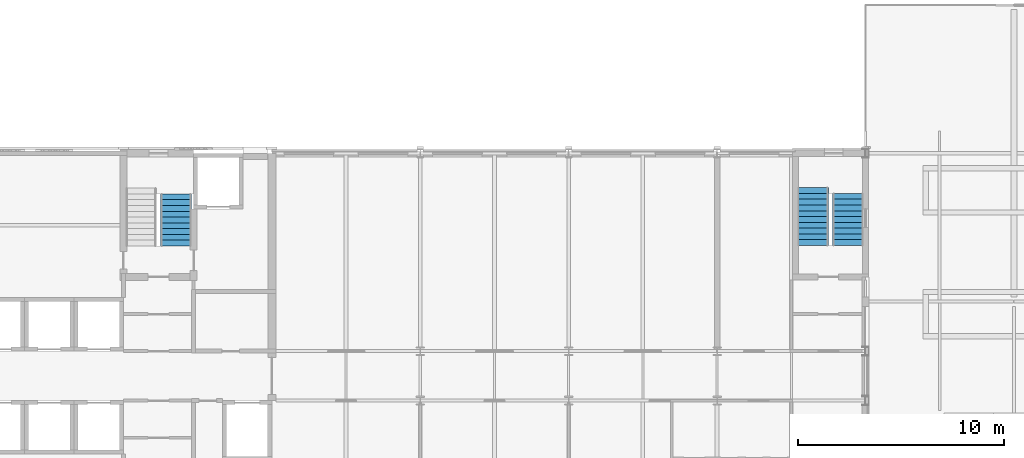
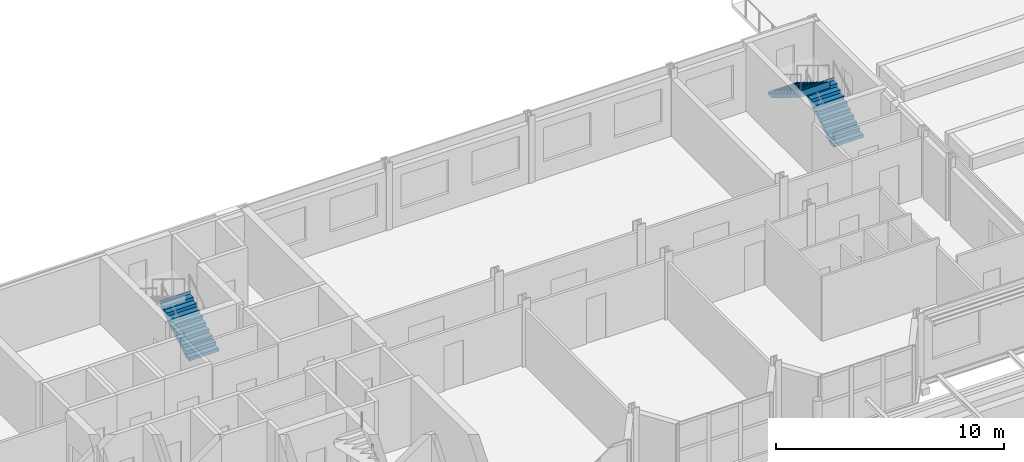
# One storey, part 50 of 110: 3 stair flights, 2 elements without a shape of their own.
"""IFC4 building model written with IfcOpenShell, lengths in metres."""

from ifc_helpers import new_model, si_unit, direction, frame, origin, place, context, subcontext, project, spatial, polyline, outline, extrude, material, type_object, element, aggregate, save


model = new_model("IFC4")

# Units and contexts
model_context = context("Model", 3, precision=1e-05, world=origin(), true_north=direction((0.0, 1.0)))
body_context = subcontext(model_context, "Body", "Model", "MODEL_VIEW")
ifc_project = project(units=[si_unit("LENGTHUNIT", "METRE"), si_unit("AREAUNIT", "SQUARE_METRE"), si_unit("VOLUMEUNIT", "CUBIC_METRE"), si_unit("PLANEANGLEUNIT", "RADIAN"), si_unit("MASSUNIT", "GRAM", prefix="KILO")], contexts=[model_context])

# Site, building, storey
site_placement = place(None, origin())
site = spatial("IfcSite", under=ifc_project, at=site_placement, CompositionType="ELEMENT")
building_placement = place(site_placement, origin())
building = spatial("IfcBuilding", under=site, at=building_placement, Name="Kupolbacken Congress Centre", CompositionType="ELEMENT")
storey_placement = place(building_placement, frame((0.0, 0.0, 18.0)))
storey = spatial("IfcBuildingStorey", under=building, at=storey_placement, Name="L05", CompositionType="ELEMENT", Elevation=18.0)

# Stair, stair flight
ifc_material_1 = material(Name="Steel S355", Category="steel")
stair_type = type_object("IfcStairType", Name="ST2 stair 1500", PredefinedType="TWO_STRAIGHT_RUN_STAIR", material=ifc_material_1)
stair_1_placement = place(storey_placement, origin())
stair_1 = element("IfcStair", 1, at=stair_1_placement, inside=storey, type_object=stair_type, Name="C/stair/TS2/L05", PredefinedType="NOTDEFINED")
ifc_material_2 = material(Name="Steel S355", Category="steel")
stair_flight_type_1 = type_object("IfcStairFlightType", Name="FL3 stair flight 1500 x 10 risers", PredefinedType="STRAIGHT", material=ifc_material_2)
stair_flight_1_placement = place(storey_placement, frame((103.35009765625, 139.5048828125, 0.0), z_axis=(0.0, 0.0, 1.0), x_axis=(0.0, 1.0, 0.0)))
stair_flight_1 = element("IfcStairFlight", 2, at=stair_flight_1_placement, type_object=stair_flight_type_1, Name="TS2 flight 1", NumberOfRisers=10, NumberOfTreads=9, PredefinedType="STRAIGHT", RiserHeight=0.171428571, TreadLength=0.28, context=body_context, shape_type="SweptSolid", body=[
    extrude(outline(polyline([(0.0, 0.0), (0.0, 0.0009765625), (0.0, 0.002197265625), (0.0, 0.003173828125), (0.0, 0.004150390625), (0.0, 0.00537109375), (0.0, 0.00634765625), (0.0, 0.007568359375), (0.0, 0.008544921875), (0.0, 0.009521484375), (0.0, 0.0107421875), (0.0, 0.01171875), (0.0, 0.0126953125), (0.0, 0.013916015625), (0.0, 0.014892578125), (0.0, 0.015869140625), (0.0, 0.01708984375), (0.0, 0.01806640625), (0.0, 0.019287109375), (0.0, 0.020263671875), (0.0, 0.021240234375), (0.0, 0.0224609375), (0.0, 0.0234375), (0.0, 0.0244140625), (0.0, 0.025634765625), (0.0, 0.026611328125), (0.0, 0.027587890625), (0.0, 0.02880859375), (0.0, 0.02978515625), (0.0, 0.03076171875), (0.0, 0.031982421875), (0.0, 0.032958984375), (0.0, 0.0341796875), (0.0, 0.03515625), (0.0, 0.0361328125), (0.0, 0.037353515625), (0.0, 0.038330078125), (0.0, 0.039306640625), (0.0, 0.04052734375), (0.0, 0.04150390625), (0.0, 0.04248046875), (0.0, 0.043701171875), (0.0, 0.044677734375), (0.0, 0.0458984375), (0.0, 0.046875), (0.0, 0.0478515625), (0.0, 0.049072265625), (0.0, 0.050048828125), (0.0, 0.051025390625), (0.0, 0.05224609375), (0.0, 0.05322265625), (0.0, 0.05419921875), (0.0, 0.055419921875), (0.0, 0.056396484375), (0.0, 0.0576171875), (0.0, 0.05859375), (0.0, 0.0595703125), (0.0, 0.060791015625), (0.0, 0.061767578125), (0.0, 0.062744140625), (0.0, 0.06396484375), (0.0, 0.06494140625), (0.0, 0.06591796875), (0.0, 0.067138671875), (0.0, 0.068115234375), (0.0, 0.069091796875), (0.0, 0.0703125), (0.0, 0.0712890625), (0.0, 0.072509765625), (0.0, 0.073486328125), (0.0, 0.074462890625), (0.0, 0.07568359375), (0.0, 0.07666015625), (0.0, 0.07763671875), (0.0, 0.078857421875), (0.0, 0.079833984375), (0.0, 0.080810546875), (0.0, 0.08203125), (0.0, 0.0830078125), (0.0, 0.084228515625), (0.0, 0.085205078125), (0.0, 0.086181640625), (0.0, 0.08740234375), (0.0, 0.08837890625), (0.0, 0.08935546875), (0.0, 0.090576171875), (0.0, 0.091552734375), (0.0, 0.092529296875), (0.0, 0.09375), (0.0, 0.0947265625), (0.0, 0.095947265625), (0.0, 0.096923828125), (0.0, 0.097900390625), (0.0, 0.09912109375), (0.0, 0.10009765625), (0.0, 0.10107421875), (0.0, 0.102294921875), (0.0, 0.103271484375), (0.0, 0.104248046875), (0.0, 0.10546875), (0.0, 0.1064453125), (0.0, 0.107421875), (0.0, 0.108642578125), (0.0, 0.109619140625), (0.0, 0.11083984375), (0.0, 0.11181640625), (0.0, 0.11279296875), (0.0, 0.114013671875), (0.0, 0.114990234375), (0.0, 0.115966796875), (0.0, 0.1171875), (0.0, 0.1181640625), (0.0, 0.119140625), (0.0, 0.120361328125), (0.0, 0.121337890625), (0.0, 0.12255859375), (0.0, 0.12353515625), (0.0, 0.12451171875), (0.0, 0.125732421875), (0.0, 0.126708984375), (0.0, 0.127685546875), (0.0, 0.12890625), (0.0, 0.1298828125), (0.0, 0.130859375), (0.0, 0.132080078125), (0.0, 0.133056640625), (0.0, 0.13427734375), (0.0, 0.13525390625), (0.0, 0.13623046875), (0.0, 0.137451171875), (0.0, 0.138427734375), (0.0, 0.139404296875), (0.0, 0.140625), (0.0, 0.1416015625), (0.0, 0.142578125), (0.0, 0.143798828125), (0.0, 0.144775390625), (0.0, 0.145751953125), (0.0, 0.14697265625), (0.0, 0.14794921875), (0.0, 0.149169921875), (0.0, 0.150146484375), (0.0, 0.151123046875), (0.0, 0.15234375), (0.0, 0.1533203125), (0.0, 0.154296875), (0.0, 0.155517578125), (0.0, 0.156494140625), (0.0, 0.157470703125), (0.0, 0.15869140625), (0.0, 0.15966796875), (0.0, 0.160888671875), (0.0, 0.161865234375), (0.0, 0.162841796875), (0.0, 0.1640625), (0.0, 0.1650390625), (0.0, 0.166015625), (0.0, 0.167236328125), (0.0, 0.168212890625), (0.0, 0.169189453125), (0.0, 0.17041015625), (0.0, 0.17138671875), (0.280029296875, 0.17138671875), (0.280029296875, 0.3427734375), (0.56005859375, 0.3427734375), (0.56005859375, 0.514404296875), (0.840087890625, 0.514404296875), (0.840087890625, 0.685791015625), (1.1201171875, 0.685791015625), (1.1201171875, 0.857177734375), (1.39990234375, 0.857177734375), (1.39990234375, 1.028564453125), (1.679931640625, 1.028564453125), (1.679931640625, 1.199951171875), (1.9599609375, 1.199951171875), (1.9599609375, 1.371337890625), (2.239990234375, 1.371337890625), (2.239990234375, 1.54296875), (2.52001953125, 1.54296875), (2.52001953125, 1.71435546875), (2.52197265625, 1.71435546875), (2.52197265625, 1.712158203125), (2.52197265625, 1.7099609375), (2.52197265625, 1.707763671875), (2.52197265625, 1.70556640625), (2.52197265625, 1.70361328125), (2.52197265625, 1.701416015625), (2.52197265625, 1.69921875), (2.52197265625, 1.697021484375), (2.52197265625, 1.69482421875), (2.52197265625, 1.692626953125), (2.52197265625, 1.690673828125), (2.52197265625, 1.6884765625), (2.52197265625, 1.686279296875), (2.52197265625, 1.68408203125), (2.52197265625, 1.681884765625), (2.52197265625, 1.6796875), (2.52197265625, 1.677734375), (2.52197265625, 1.675537109375), (2.52197265625, 1.67333984375), (2.52197265625, 1.671142578125), (2.52197265625, 1.6689453125), (2.52197265625, 1.666748046875), (2.52197265625, 1.664794921875), (2.52197265625, 1.66259765625), (2.52197265625, 1.660400390625), (2.52197265625, 1.658203125), (2.52197265625, 1.656005859375), (2.52197265625, 1.65380859375), (2.52197265625, 1.65185546875), (2.52197265625, 1.649658203125), (2.52197265625, 1.6474609375), (2.52197265625, 1.645263671875), (2.52197265625, 1.64306640625), (2.52197265625, 1.640869140625), (2.52197265625, 1.638916015625), (2.52197265625, 1.63671875), (2.52197265625, 1.634521484375), (2.52197265625, 1.63232421875), (2.52197265625, 1.630126953125), (2.52197265625, 1.6279296875), (2.52197265625, 1.6259765625), (2.52197265625, 1.623779296875), (2.52197265625, 1.62158203125), (2.52197265625, 1.619384765625), (2.52197265625, 1.6171875), (2.52197265625, 1.614990234375), (2.52197265625, 1.613037109375), (2.52197265625, 1.61083984375), (2.52197265625, 1.608642578125), (2.52197265625, 1.6064453125), (2.52197265625, 1.604248046875), (2.52197265625, 1.60205078125), (2.52197265625, 1.60009765625), (2.52197265625, 1.597900390625), (2.52197265625, 1.595703125), (2.52197265625, 1.593505859375), (2.52197265625, 1.59130859375), (2.52197265625, 1.589111328125), (2.52197265625, 1.587158203125), (2.52197265625, 1.5849609375), (2.52197265625, 1.582763671875), (2.52197265625, 1.58056640625), (2.52197265625, 1.578369140625), (2.52197265625, 1.576171875), (2.52197265625, 1.57421875), (2.52197265625, 1.572021484375), (2.52197265625, 1.56982421875), (2.52197265625, 1.567626953125), (2.52197265625, 1.5654296875), (2.52197265625, 1.563232421875), (2.52197265625, 1.561279296875), (2.52197265625, 1.55908203125), (2.52197265625, 1.556884765625), (2.52197265625, 1.5546875), (2.52197265625, 1.552490234375), (2.52197265625, 1.55029296875), (2.52197265625, 1.54833984375), (2.52197265625, 1.546142578125), (2.52197265625, 1.5439453125), (2.52197265625, 1.541748046875), (2.52197265625, 1.53955078125), (2.52197265625, 1.537353515625), (2.52197265625, 1.535400390625), (2.52197265625, 1.533203125), (2.52197265625, 1.531005859375), (2.52197265625, 1.52880859375), (2.52197265625, 1.526611328125), (2.52197265625, 1.5244140625), (2.52197265625, 1.5224609375), (2.52197265625, 1.520263671875), (2.52197265625, 1.51806640625), (2.52197265625, 1.515869140625), (2.52197265625, 1.513671875), (2.52197265625, 1.511474609375), (2.52197265625, 1.509521484375), (2.52197265625, 1.50732421875), (2.52197265625, 1.505126953125), (2.52197265625, 1.5029296875), (2.52197265625, 1.500732421875), (2.52197265625, 1.49853515625), (2.52197265625, 1.49658203125), (2.52197265625, 1.494384765625), (2.52197265625, 1.4921875), (2.52197265625, 1.489990234375), (2.52197265625, 1.48779296875), (2.52197265625, 1.485595703125), (2.52197265625, 1.483642578125), (2.52197265625, 1.4814453125), (2.52197265625, 1.479248046875), (2.52197265625, 1.47705078125), (2.52197265625, 1.474853515625), (2.52197265625, 1.47265625), (2.52197265625, 1.470703125), (2.52197265625, 1.468505859375), (2.52197265625, 1.46630859375), (2.52197265625, 1.464111328125), (2.52197265625, 1.4619140625), (2.52197265625, 1.459716796875), (2.52197265625, 1.457763671875), (2.52197265625, 1.45556640625), (2.52197265625, 1.453369140625), (2.52197265625, 1.451171875), (2.52197265625, 1.448974609375), (2.52197265625, 1.44677734375), (2.52197265625, 1.44482421875), (2.52197265625, 1.442626953125), (2.52197265625, 1.4404296875), (2.52197265625, 1.438232421875), (2.52197265625, 1.43603515625), (2.52197265625, 1.433837890625), (2.52197265625, 1.431884765625), (2.52197265625, 1.4296875), (2.52197265625, 1.427490234375), (2.52197265625, 1.42529296875), (2.52197265625, 1.423095703125), (2.52197265625, 1.4208984375), (2.52197265625, 1.4189453125), (2.52197265625, 1.416748046875), (2.52197265625, 1.41455078125), (2.52197265625, 1.412353515625), (2.52197265625, 1.41015625), (2.52197265625, 1.407958984375), (2.52197265625, 1.406005859375), (2.52197265625, 1.40380859375), (2.52197265625, 1.401611328125), (2.52197265625, 1.3994140625), (2.52197265625, 1.397216796875), (2.52197265625, 1.39501953125), (2.52197265625, 1.39306640625), (2.52197265625, 1.390869140625), (2.52197265625, 1.388671875), (2.52197265625, 1.386474609375), (2.52197265625, 1.38427734375), (2.52197265625, 1.382080078125), (2.52197265625, 1.380126953125), (2.52197265625, 1.3779296875), (2.52197265625, 1.375732421875), (2.52197265625, 1.37353515625), (2.52197265625, 1.371337890625), (2.52197265625, 1.369140625), (2.52197265625, 1.3671875), (0.2890625, 0.0), (0.0, 0.0)])), frame((0.0, 0.75, 0.0), z_axis=(0.0, -1.0, 0.0), x_axis=(1.0, 0.0, 0.0)), (0.0, 0.0, 1.0), 1.5),
])
aggregate(stair_1, [stair_flight_1])

# Stair, stair flights
stair_2_placement = place(storey_placement, origin())
stair_2 = element("IfcStair", 3, at=stair_2_placement, inside=storey, type_object=stair_type, Name="C/stair/TS4/L05", PredefinedType="NOTDEFINED")
stair_flight_2_placement = place(storey_placement, frame((135.949951171875, 139.530029296875, 0.0), z_axis=(0.0, 0.0, 1.0), x_axis=(0.0, 1.0, 0.0)))
stair_flight_2 = element("IfcStairFlight", 4, at=stair_flight_2_placement, type_object=stair_flight_type_1, Name="TS4 flight 1", NumberOfRisers=10, NumberOfTreads=9, PredefinedType="STRAIGHT", RiserHeight=0.171428571, TreadLength=0.28, context=body_context, shape_type="SweptSolid", body=[
    extrude(outline(polyline([(0.0, 0.0), (0.0, 0.0009765625), (0.0, 0.002197265625), (0.0, 0.003173828125), (0.0, 0.004150390625), (0.0, 0.00537109375), (0.0, 0.00634765625), (0.0, 0.007568359375), (0.0, 0.008544921875), (0.0, 0.009521484375), (0.0, 0.0107421875), (0.0, 0.01171875), (0.0, 0.0126953125), (0.0, 0.013916015625), (0.0, 0.014892578125), (0.0, 0.015869140625), (0.0, 0.01708984375), (0.0, 0.01806640625), (0.0, 0.019287109375), (0.0, 0.020263671875), (0.0, 0.021240234375), (0.0, 0.0224609375), (0.0, 0.0234375), (0.0, 0.0244140625), (0.0, 0.025634765625), (0.0, 0.026611328125), (0.0, 0.027587890625), (0.0, 0.02880859375), (0.0, 0.02978515625), (0.0, 0.03076171875), (0.0, 0.031982421875), (0.0, 0.032958984375), (0.0, 0.0341796875), (0.0, 0.03515625), (0.0, 0.0361328125), (0.0, 0.037353515625), (0.0, 0.038330078125), (0.0, 0.039306640625), (0.0, 0.04052734375), (0.0, 0.04150390625), (0.0, 0.04248046875), (0.0, 0.043701171875), (0.0, 0.044677734375), (0.0, 0.0458984375), (0.0, 0.046875), (0.0, 0.0478515625), (0.0, 0.049072265625), (0.0, 0.050048828125), (0.0, 0.051025390625), (0.0, 0.05224609375), (0.0, 0.05322265625), (0.0, 0.05419921875), (0.0, 0.055419921875), (0.0, 0.056396484375), (0.0, 0.0576171875), (0.0, 0.05859375), (0.0, 0.0595703125), (0.0, 0.060791015625), (0.0, 0.061767578125), (0.0, 0.062744140625), (0.0, 0.06396484375), (0.0, 0.06494140625), (0.0, 0.06591796875), (0.0, 0.067138671875), (0.0, 0.068115234375), (0.0, 0.069091796875), (0.0, 0.0703125), (0.0, 0.0712890625), (0.0, 0.072509765625), (0.0, 0.073486328125), (0.0, 0.074462890625), (0.0, 0.07568359375), (0.0, 0.07666015625), (0.0, 0.07763671875), (0.0, 0.078857421875), (0.0, 0.079833984375), (0.0, 0.080810546875), (0.0, 0.08203125), (0.0, 0.0830078125), (0.0, 0.084228515625), (0.0, 0.085205078125), (0.0, 0.086181640625), (0.0, 0.08740234375), (0.0, 0.08837890625), (0.0, 0.08935546875), (0.0, 0.090576171875), (0.0, 0.091552734375), (0.0, 0.092529296875), (0.0, 0.09375), (0.0, 0.0947265625), (0.0, 0.095947265625), (0.0, 0.096923828125), (0.0, 0.097900390625), (0.0, 0.09912109375), (0.0, 0.10009765625), (0.0, 0.10107421875), (0.0, 0.102294921875), (0.0, 0.103271484375), (0.0, 0.104248046875), (0.0, 0.10546875), (0.0, 0.1064453125), (0.0, 0.107421875), (0.0, 0.108642578125), (0.0, 0.109619140625), (0.0, 0.11083984375), (0.0, 0.11181640625), (0.0, 0.11279296875), (0.0, 0.114013671875), (0.0, 0.114990234375), (0.0, 0.115966796875), (0.0, 0.1171875), (0.0, 0.1181640625), (0.0, 0.119140625), (0.0, 0.120361328125), (0.0, 0.121337890625), (0.0, 0.12255859375), (0.0, 0.12353515625), (0.0, 0.12451171875), (0.0, 0.125732421875), (0.0, 0.126708984375), (0.0, 0.127685546875), (0.0, 0.12890625), (0.0, 0.1298828125), (0.0, 0.130859375), (0.0, 0.132080078125), (0.0, 0.133056640625), (0.0, 0.13427734375), (0.0, 0.13525390625), (0.0, 0.13623046875), (0.0, 0.137451171875), (0.0, 0.138427734375), (0.0, 0.139404296875), (0.0, 0.140625), (0.0, 0.1416015625), (0.0, 0.142578125), (0.0, 0.143798828125), (0.0, 0.144775390625), (0.0, 0.145751953125), (0.0, 0.14697265625), (0.0, 0.14794921875), (0.0, 0.149169921875), (0.0, 0.150146484375), (0.0, 0.151123046875), (0.0, 0.15234375), (0.0, 0.1533203125), (0.0, 0.154296875), (0.0, 0.155517578125), (0.0, 0.156494140625), (0.0, 0.157470703125), (0.0, 0.15869140625), (0.0, 0.15966796875), (0.0, 0.160888671875), (0.0, 0.161865234375), (0.0, 0.162841796875), (0.0, 0.1640625), (0.0, 0.1650390625), (0.0, 0.166015625), (0.0, 0.167236328125), (0.0, 0.168212890625), (0.0, 0.169189453125), (0.0, 0.17041015625), (0.0, 0.17138671875), (0.280029296875, 0.17138671875), (0.280029296875, 0.3427734375), (0.56005859375, 0.3427734375), (0.56005859375, 0.514404296875), (0.840087890625, 0.514404296875), (0.840087890625, 0.685791015625), (1.1201171875, 0.685791015625), (1.1201171875, 0.857177734375), (1.39990234375, 0.857177734375), (1.39990234375, 1.028564453125), (1.679931640625, 1.028564453125), (1.679931640625, 1.199951171875), (1.9599609375, 1.199951171875), (1.9599609375, 1.371337890625), (2.239990234375, 1.371337890625), (2.239990234375, 1.54296875), (2.52001953125, 1.54296875), (2.52001953125, 1.71435546875), (2.52197265625, 1.71435546875), (2.52197265625, 1.712158203125), (2.52197265625, 1.7099609375), (2.52197265625, 1.707763671875), (2.52197265625, 1.70556640625), (2.52197265625, 1.70361328125), (2.52197265625, 1.701416015625), (2.52197265625, 1.69921875), (2.52197265625, 1.697021484375), (2.52197265625, 1.69482421875), (2.52197265625, 1.692626953125), (2.52197265625, 1.690673828125), (2.52197265625, 1.6884765625), (2.52197265625, 1.686279296875), (2.52197265625, 1.68408203125), (2.52197265625, 1.681884765625), (2.52197265625, 1.6796875), (2.52197265625, 1.677734375), (2.52197265625, 1.675537109375), (2.52197265625, 1.67333984375), (2.52197265625, 1.671142578125), (2.52197265625, 1.6689453125), (2.52197265625, 1.666748046875), (2.52197265625, 1.664794921875), (2.52197265625, 1.66259765625), (2.52197265625, 1.660400390625), (2.52197265625, 1.658203125), (2.52197265625, 1.656005859375), (2.52197265625, 1.65380859375), (2.52197265625, 1.65185546875), (2.52197265625, 1.649658203125), (2.52197265625, 1.6474609375), (2.52197265625, 1.645263671875), (2.52197265625, 1.64306640625), (2.52197265625, 1.640869140625), (2.52197265625, 1.638916015625), (2.52197265625, 1.63671875), (2.52197265625, 1.634521484375), (2.52197265625, 1.63232421875), (2.52197265625, 1.630126953125), (2.52197265625, 1.6279296875), (2.52197265625, 1.6259765625), (2.52197265625, 1.623779296875), (2.52197265625, 1.62158203125), (2.52197265625, 1.619384765625), (2.52197265625, 1.6171875), (2.52197265625, 1.614990234375), (2.52197265625, 1.613037109375), (2.52197265625, 1.61083984375), (2.52197265625, 1.608642578125), (2.52197265625, 1.6064453125), (2.52197265625, 1.604248046875), (2.52197265625, 1.60205078125), (2.52197265625, 1.60009765625), (2.52197265625, 1.597900390625), (2.52197265625, 1.595703125), (2.52197265625, 1.593505859375), (2.52197265625, 1.59130859375), (2.52197265625, 1.589111328125), (2.52197265625, 1.587158203125), (2.52197265625, 1.5849609375), (2.52197265625, 1.582763671875), (2.52197265625, 1.58056640625), (2.52197265625, 1.578369140625), (2.52197265625, 1.576171875), (2.52197265625, 1.57421875), (2.52197265625, 1.572021484375), (2.52197265625, 1.56982421875), (2.52197265625, 1.567626953125), (2.52197265625, 1.5654296875), (2.52197265625, 1.563232421875), (2.52197265625, 1.561279296875), (2.52197265625, 1.55908203125), (2.52197265625, 1.556884765625), (2.52197265625, 1.5546875), (2.52197265625, 1.552490234375), (2.52197265625, 1.55029296875), (2.52197265625, 1.54833984375), (2.52197265625, 1.546142578125), (2.52197265625, 1.5439453125), (2.52197265625, 1.541748046875), (2.52197265625, 1.53955078125), (2.52197265625, 1.537353515625), (2.52197265625, 1.535400390625), (2.52197265625, 1.533203125), (2.52197265625, 1.531005859375), (2.52197265625, 1.52880859375), (2.52197265625, 1.526611328125), (2.52197265625, 1.5244140625), (2.52197265625, 1.5224609375), (2.52197265625, 1.520263671875), (2.52197265625, 1.51806640625), (2.52197265625, 1.515869140625), (2.52197265625, 1.513671875), (2.52197265625, 1.511474609375), (2.52197265625, 1.509521484375), (2.52197265625, 1.50732421875), (2.52197265625, 1.505126953125), (2.52197265625, 1.5029296875), (2.52197265625, 1.500732421875), (2.52197265625, 1.49853515625), (2.52197265625, 1.49658203125), (2.52197265625, 1.494384765625), (2.52197265625, 1.4921875), (2.52197265625, 1.489990234375), (2.52197265625, 1.48779296875), (2.52197265625, 1.485595703125), (2.52197265625, 1.483642578125), (2.52197265625, 1.4814453125), (2.52197265625, 1.479248046875), (2.52197265625, 1.47705078125), (2.52197265625, 1.474853515625), (2.52197265625, 1.47265625), (2.52197265625, 1.470703125), (2.52197265625, 1.468505859375), (2.52197265625, 1.46630859375), (2.52197265625, 1.464111328125), (2.52197265625, 1.4619140625), (2.52197265625, 1.459716796875), (2.52197265625, 1.457763671875), (2.52197265625, 1.45556640625), (2.52197265625, 1.453369140625), (2.52197265625, 1.451171875), (2.52197265625, 1.448974609375), (2.52197265625, 1.44677734375), (2.52197265625, 1.44482421875), (2.52197265625, 1.442626953125), (2.52197265625, 1.4404296875), (2.52197265625, 1.438232421875), (2.52197265625, 1.43603515625), (2.52197265625, 1.433837890625), (2.52197265625, 1.431884765625), (2.52197265625, 1.4296875), (2.52197265625, 1.427490234375), (2.52197265625, 1.42529296875), (2.52197265625, 1.423095703125), (2.52197265625, 1.4208984375), (2.52197265625, 1.4189453125), (2.52197265625, 1.416748046875), (2.52197265625, 1.41455078125), (2.52197265625, 1.412353515625), (2.52197265625, 1.41015625), (2.52197265625, 1.407958984375), (2.52197265625, 1.406005859375), (2.52197265625, 1.40380859375), (2.52197265625, 1.401611328125), (2.52197265625, 1.3994140625), (2.52197265625, 1.397216796875), (2.52197265625, 1.39501953125), (2.52197265625, 1.39306640625), (2.52197265625, 1.390869140625), (2.52197265625, 1.388671875), (2.52197265625, 1.386474609375), (2.52197265625, 1.38427734375), (2.52197265625, 1.382080078125), (2.52197265625, 1.380126953125), (2.52197265625, 1.3779296875), (2.52197265625, 1.375732421875), (2.52197265625, 1.37353515625), (2.52197265625, 1.371337890625), (2.52197265625, 1.369140625), (2.52197265625, 1.3671875), (0.2890625, 0.0), (0.0, 0.0)])), frame((0.0, 0.75, 0.0), z_axis=(0.0, -1.0, 0.0), x_axis=(1.0, 0.0, 0.0)), (0.0, 0.0, 1.0), 1.5),
])
ifc_material_3 = material(Name="Steel S355", Category="steel")
stair_flight_type_2 = type_object("IfcStairFlightType", Name="FL4 stair flight 1500 x 11 risers", PredefinedType="STRAIGHT", material=ifc_material_3)
stair_flight_3_placement = place(storey_placement, frame((134.25, 142.330078125, 1.71435546875), z_axis=(0.0, 0.0, 1.0), x_axis=(0.0, -1.0, 0.0)))
stair_flight_3 = element("IfcStairFlight", 5, at=stair_flight_3_placement, type_object=stair_flight_type_2, Name="TS4 flight 2", NumberOfRisers=11, NumberOfTreads=10, PredefinedType="STRAIGHT", RiserHeight=0.171428571, TreadLength=0.28, context=body_context, shape_type="SweptSolid", body=[
    extrude(outline(polyline([(0.0, 0.0), (0.0, 0.0009765625), (0.0, 0.002197265625), (0.0, 0.003173828125), (0.0, 0.004150390625), (0.0, 0.00537109375), (0.0, 0.00634765625), (0.0, 0.007568359375), (0.0, 0.008544921875), (0.0, 0.009521484375), (0.0, 0.0107421875), (0.0, 0.01171875), (0.0, 0.0126953125), (0.0, 0.013916015625), (0.0, 0.014892578125), (0.0, 0.015869140625), (0.0, 0.01708984375), (0.0, 0.01806640625), (0.0, 0.019287109375), (0.0, 0.020263671875), (0.0, 0.021240234375), (0.0, 0.0224609375), (0.0, 0.0234375), (0.0, 0.0244140625), (0.0, 0.025634765625), (0.0, 0.026611328125), (0.0, 0.027587890625), (0.0, 0.02880859375), (0.0, 0.02978515625), (0.0, 0.03076171875), (0.0, 0.031982421875), (0.0, 0.032958984375), (0.0, 0.0341796875), (0.0, 0.03515625), (0.0, 0.0361328125), (0.0, 0.037353515625), (0.0, 0.038330078125), (0.0, 0.039306640625), (0.0, 0.04052734375), (0.0, 0.04150390625), (0.0, 0.04248046875), (0.0, 0.043701171875), (0.0, 0.044677734375), (0.0, 0.0458984375), (0.0, 0.046875), (0.0, 0.0478515625), (0.0, 0.049072265625), (0.0, 0.050048828125), (0.0, 0.051025390625), (0.0, 0.05224609375), (0.0, 0.05322265625), (0.0, 0.05419921875), (0.0, 0.055419921875), (0.0, 0.056396484375), (0.0, 0.0576171875), (0.0, 0.05859375), (0.0, 0.0595703125), (0.0, 0.060791015625), (0.0, 0.061767578125), (0.0, 0.062744140625), (0.0, 0.06396484375), (0.0, 0.06494140625), (0.0, 0.06591796875), (0.0, 0.067138671875), (0.0, 0.068115234375), (0.0, 0.069091796875), (0.0, 0.0703125), (0.0, 0.0712890625), (0.0, 0.072509765625), (0.0, 0.073486328125), (0.0, 0.074462890625), (0.0, 0.07568359375), (0.0, 0.07666015625), (0.0, 0.07763671875), (0.0, 0.078857421875), (0.0, 0.079833984375), (0.0, 0.080810546875), (0.0, 0.08203125), (0.0, 0.0830078125), (0.0, 0.084228515625), (0.0, 0.085205078125), (0.0, 0.086181640625), (0.0, 0.08740234375), (0.0, 0.08837890625), (0.0, 0.08935546875), (0.0, 0.090576171875), (0.0, 0.091552734375), (0.0, 0.092529296875), (0.0, 0.09375), (0.0, 0.0947265625), (0.0, 0.095947265625), (0.0, 0.096923828125), (0.0, 0.097900390625), (0.0, 0.09912109375), (0.0, 0.10009765625), (0.0, 0.10107421875), (0.0, 0.102294921875), (0.0, 0.103271484375), (0.0, 0.104248046875), (0.0, 0.10546875), (0.0, 0.1064453125), (0.0, 0.107421875), (0.0, 0.108642578125), (0.0, 0.109619140625), (0.0, 0.11083984375), (0.0, 0.11181640625), (0.0, 0.11279296875), (0.0, 0.114013671875), (0.0, 0.114990234375), (0.0, 0.115966796875), (0.0, 0.1171875), (0.0, 0.1181640625), (0.0, 0.119140625), (0.0, 0.120361328125), (0.0, 0.121337890625), (0.0, 0.12255859375), (0.0, 0.12353515625), (0.0, 0.12451171875), (0.0, 0.125732421875), (0.0, 0.126708984375), (0.0, 0.127685546875), (0.0, 0.12890625), (0.0, 0.1298828125), (0.0, 0.130859375), (0.0, 0.132080078125), (0.0, 0.133056640625), (0.0, 0.13427734375), (0.0, 0.13525390625), (0.0, 0.13623046875), (0.0, 0.137451171875), (0.0, 0.138427734375), (0.0, 0.139404296875), (0.0, 0.140625), (0.0, 0.1416015625), (0.0, 0.142578125), (0.0, 0.143798828125), (0.0, 0.144775390625), (0.0, 0.145751953125), (0.0, 0.14697265625), (0.0, 0.14794921875), (0.0, 0.149169921875), (0.0, 0.150146484375), (0.0, 0.151123046875), (0.0, 0.15234375), (0.0, 0.1533203125), (0.0, 0.154296875), (0.0, 0.155517578125), (0.0, 0.156494140625), (0.0, 0.157470703125), (0.0, 0.15869140625), (0.0, 0.15966796875), (0.0, 0.160888671875), (0.0, 0.161865234375), (0.0, 0.162841796875), (0.0, 0.1640625), (0.0, 0.1650390625), (0.0, 0.166015625), (0.0, 0.167236328125), (0.0, 0.168212890625), (0.0, 0.169189453125), (0.0, 0.17041015625), (0.0, 0.17138671875), (0.280029296875, 0.17138671875), (0.280029296875, 0.3427734375), (0.56005859375, 0.3427734375), (0.56005859375, 0.514404296875), (0.840087890625, 0.514404296875), (0.840087890625, 0.685791015625), (1.1201171875, 0.685791015625), (1.1201171875, 0.857177734375), (1.39990234375, 0.857177734375), (1.39990234375, 1.028564453125), (1.679931640625, 1.028564453125), (1.679931640625, 1.199951171875), (1.9599609375, 1.199951171875), (1.9599609375, 1.371337890625), (2.239990234375, 1.371337890625), (2.239990234375, 1.54296875), (2.52001953125, 1.54296875), (2.52001953125, 1.71435546875), (2.800048828125, 1.71435546875), (2.800048828125, 1.8857421875), (2.802001953125, 1.8857421875), (2.802001953125, 1.883544921875), (2.802001953125, 1.88134765625), (2.802001953125, 1.879150390625), (2.802001953125, 1.877197265625), (2.802001953125, 1.875), (2.802001953125, 1.872802734375), (2.802001953125, 1.87060546875), (2.802001953125, 1.868408203125), (2.802001953125, 1.8662109375), (2.802001953125, 1.8642578125), (2.802001953125, 1.862060546875), (2.802001953125, 1.85986328125), (2.802001953125, 1.857666015625), (2.802001953125, 1.85546875), (2.802001953125, 1.853271484375), (2.802001953125, 1.851318359375), (2.802001953125, 1.84912109375), (2.802001953125, 1.846923828125), (2.802001953125, 1.8447265625), (2.802001953125, 1.842529296875), (2.802001953125, 1.84033203125), (2.802001953125, 1.83837890625), (2.802001953125, 1.836181640625), (2.802001953125, 1.833984375), (2.802001953125, 1.831787109375), (2.802001953125, 1.82958984375), (2.802001953125, 1.827392578125), (2.802001953125, 1.825439453125), (2.802001953125, 1.8232421875), (2.802001953125, 1.821044921875), (2.802001953125, 1.81884765625), (2.802001953125, 1.816650390625), (2.802001953125, 1.814453125), (2.802001953125, 1.8125), (2.802001953125, 1.810302734375), (2.802001953125, 1.80810546875), (2.802001953125, 1.805908203125), (2.802001953125, 1.8037109375), (2.802001953125, 1.801513671875), (2.802001953125, 1.799560546875), (2.802001953125, 1.79736328125), (2.802001953125, 1.795166015625), (2.802001953125, 1.79296875), (2.802001953125, 1.790771484375), (2.802001953125, 1.78857421875), (2.802001953125, 1.78662109375), (2.802001953125, 1.784423828125), (2.802001953125, 1.7822265625), (2.802001953125, 1.780029296875), (2.802001953125, 1.77783203125), (2.802001953125, 1.775634765625), (2.802001953125, 1.773681640625), (2.802001953125, 1.771484375), (2.802001953125, 1.769287109375), (2.802001953125, 1.76708984375), (2.802001953125, 1.764892578125), (2.802001953125, 1.7626953125), (2.802001953125, 1.7607421875), (2.802001953125, 1.758544921875), (2.802001953125, 1.75634765625), (2.802001953125, 1.754150390625), (2.802001953125, 1.751953125), (2.802001953125, 1.749755859375), (2.802001953125, 1.747802734375), (2.802001953125, 1.74560546875), (2.802001953125, 1.743408203125), (2.802001953125, 1.7412109375), (2.802001953125, 1.739013671875), (2.802001953125, 1.73681640625), (2.802001953125, 1.73486328125), (2.802001953125, 1.732666015625), (2.802001953125, 1.73046875), (2.802001953125, 1.728271484375), (2.802001953125, 1.72607421875), (2.802001953125, 1.723876953125), (2.802001953125, 1.721923828125), (2.802001953125, 1.7197265625), (2.802001953125, 1.717529296875), (2.802001953125, 1.71533203125), (2.802001953125, 1.713134765625), (2.802001953125, 1.7109375), (2.802001953125, 1.708984375), (2.802001953125, 1.706787109375), (2.802001953125, 1.70458984375), (2.802001953125, 1.702392578125), (2.802001953125, 1.7001953125), (2.802001953125, 1.697998046875), (2.802001953125, 1.696044921875), (2.802001953125, 1.69384765625), (2.802001953125, 1.691650390625), (2.802001953125, 1.689453125), (2.802001953125, 1.687255859375), (2.802001953125, 1.68505859375), (2.802001953125, 1.68310546875), (2.802001953125, 1.680908203125), (2.802001953125, 1.6787109375), (2.802001953125, 1.676513671875), (2.802001953125, 1.67431640625), (2.802001953125, 1.672119140625), (2.802001953125, 1.670166015625), (2.802001953125, 1.66796875), (2.802001953125, 1.665771484375), (2.802001953125, 1.66357421875), (2.802001953125, 1.661376953125), (2.802001953125, 1.6591796875), (2.802001953125, 1.6572265625), (2.802001953125, 1.655029296875), (2.802001953125, 1.65283203125), (2.802001953125, 1.650634765625), (2.802001953125, 1.6484375), (2.802001953125, 1.646240234375), (2.802001953125, 1.644287109375), (2.802001953125, 1.64208984375), (2.802001953125, 1.639892578125), (2.802001953125, 1.6376953125), (2.802001953125, 1.635498046875), (2.802001953125, 1.63330078125), (2.802001953125, 1.63134765625), (2.802001953125, 1.629150390625), (2.802001953125, 1.626953125), (2.802001953125, 1.624755859375), (2.802001953125, 1.62255859375), (2.802001953125, 1.620361328125), (2.802001953125, 1.618408203125), (2.802001953125, 1.6162109375), (2.802001953125, 1.614013671875), (2.802001953125, 1.61181640625), (2.802001953125, 1.609619140625), (2.802001953125, 1.607421875), (2.802001953125, 1.60546875), (2.802001953125, 1.603271484375), (2.802001953125, 1.60107421875), (2.802001953125, 1.598876953125), (2.802001953125, 1.5966796875), (2.802001953125, 1.594482421875), (2.802001953125, 1.592529296875), (2.802001953125, 1.59033203125), (2.802001953125, 1.588134765625), (2.802001953125, 1.5859375), (2.802001953125, 1.583740234375), (2.802001953125, 1.58154296875), (2.802001953125, 1.57958984375), (2.802001953125, 1.577392578125), (2.802001953125, 1.5751953125), (2.802001953125, 1.572998046875), (2.802001953125, 1.57080078125), (2.802001953125, 1.568603515625), (2.802001953125, 1.566650390625), (2.802001953125, 1.564453125), (2.802001953125, 1.562255859375), (2.802001953125, 1.56005859375), (2.802001953125, 1.557861328125), (2.802001953125, 1.5556640625), (2.802001953125, 1.5537109375), (2.802001953125, 1.551513671875), (2.802001953125, 1.54931640625), (2.802001953125, 1.547119140625), (2.802001953125, 1.544921875), (2.802001953125, 1.542724609375), (2.802001953125, 1.540771484375), (2.802001953125, 1.53857421875), (0.2890625, 0.0), (0.0, 0.0)])), frame((0.0, 0.75, 0.0), z_axis=(0.0, -1.0, 0.0), x_axis=(1.0, 0.0, 0.0)), (0.0, 0.0, 1.0), 1.5),
])
aggregate(stair_2, [stair_flight_2, stair_flight_3])

save(model, "model.ifc")
